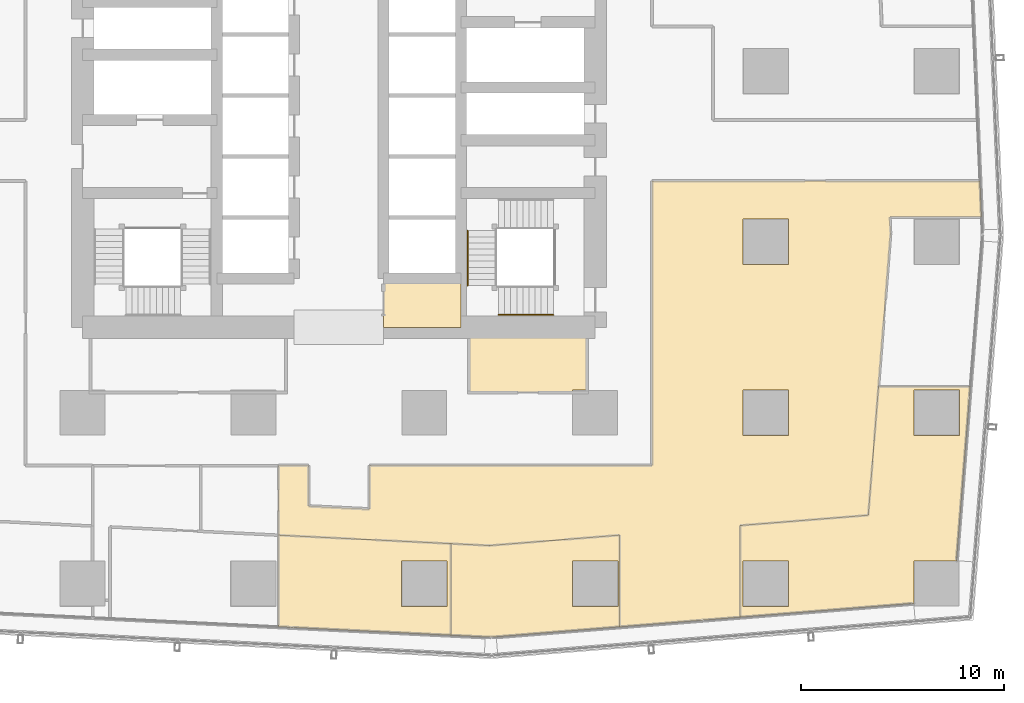
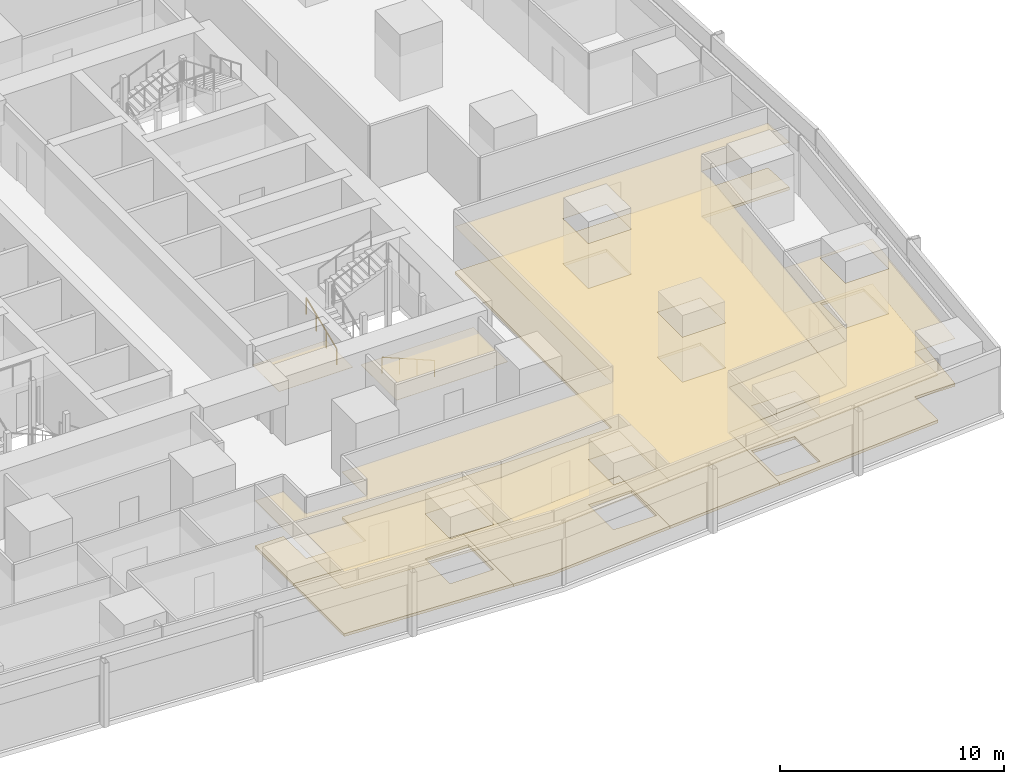
# One storey, part 39 of 45: 10 coverings, 2 railings.
"""IFC4 building model written with IfcOpenShell, lengths in metres."""

from ifc_helpers import new_model, si_unit, direction, frame, origin, origin_2d, place, context, subcontext, project, spatial, polyline, circle, outline, extrude, material, layer, layer_set, type_object, element, save


model = new_model("IFC4")

# Units and contexts
model_context = context("Model", 3, precision=1e-05, world=origin(), true_north=direction((0.0, 1.0)))
body_context = subcontext(model_context, "Body", "Model", "MODEL_VIEW")
ifc_project = project(units=[si_unit("LENGTHUNIT", "METRE"), si_unit("AREAUNIT", "SQUARE_METRE"), si_unit("VOLUMEUNIT", "CUBIC_METRE"), si_unit("PLANEANGLEUNIT", "RADIAN"), si_unit("MASSUNIT", "GRAM", prefix="KILO")], contexts=[model_context])

# Site, building, storey
site_placement = place(None, origin())
site = spatial("IfcSite", under=ifc_project, at=site_placement, CompositionType="ELEMENT")
building_placement = place(site_placement, origin())
building = spatial("IfcBuilding", under=site, at=building_placement, Name="Rekha Terrace Tower", CompositionType="ELEMENT")
storey_placement = place(building_placement, frame((0.0, 0.0, 32.89990234375)))
storey = spatial("IfcBuildingStorey", under=building, at=storey_placement, Name="L07", CompositionType="ELEMENT", Elevation=32.89990234375)

# Coverings
ifc_material_1 = material(Name="Mineral fibre tile in exposed grid", Category="finish")
ifc_layer_1 = layer(ifc_material_1, 0.02001953125)
ifc_layer_set_1 = layer_set([ifc_layer_1], Name="Mineral fibre tile in exposed grid")
covering_type_1 = type_object("IfcCoveringType", Name="CL1 600x1200 office grid ceiling", PredefinedType="CEILING", material=ifc_layer_set_1)
covering_1_placement = place(storey_placement, frame((0.0, 0.0, 2.580078125)))
element("IfcCovering", 1, at=covering_1_placement, inside=storey, type_object=covering_type_1, Name="Ceiling L07-02", PredefinedType="CEILING", context=body_context, shape_type="SweptSolid", body=[
    extrude(outline(polyline([(43.31298828125, 5.85791015625), (43.31298828125, 10.364013671875), (34.841064453125, 10.780029296875), (34.841064453125, 6.27392578125), (43.31298828125, 5.85791015625)]), holes=[polyline([(43.114990234375, 7.284912109375), (40.885009765625, 7.284912109375), (40.885009765625, 9.514892578125), (43.114990234375, 9.514892578125), (43.114990234375, 7.284912109375)])]), origin(), (0.0, 0.0, 1.0), 0.02001953125),
])
covering_2_placement = place(storey_placement, frame((0.0, 0.0, 2.580078125)))
element("IfcCovering", 2, at=covering_2_placement, inside=storey, type_object=covering_type_1, Name="Ceiling L07-03", PredefinedType="CEILING", context=body_context, shape_type="SweptSolid", body=[
    extrude(outline(polyline([(45.201904296875, 10.27099609375), (43.31396484375, 10.364013671875), (43.31396484375, 5.85791015625), (45.27197265625, 5.761962890625), (51.60205078125, 6.26904296875), (51.60205078125, 10.783935546875), (45.201904296875, 10.27099609375)]), holes=[polyline([(51.514892578125, 7.284912109375), (49.284912109375, 7.284912109375), (49.284912109375, 9.514892578125), (51.514892578125, 9.514892578125), (51.514892578125, 7.284912109375)])]), origin(), (0.0, 0.0, 1.0), 0.02001953125),
])
covering_3_placement = place(storey_placement, frame((0.0, 0.0, 2.580078125)))
element("IfcCovering", 3, at=covering_3_placement, inside=storey, type_object=covering_type_1, Name="Ceiling L07-04", PredefinedType="CEILING", context=body_context, shape_type="SweptSolid", body=[
    extrude(outline(polyline([(63.83203125, 11.762939453125), (57.527099609375, 11.258056640625), (57.527099609375, 6.743896484375), (66.0849609375, 7.428955078125), (66.0849609375, 9.514892578125), (68.16796875, 9.514892578125), (68.847900390625, 18.0791015625), (64.333984375, 18.0791015625), (63.83203125, 11.762939453125)]), holes=[polyline([(68.31494140625, 15.68505859375), (66.0849609375, 15.68505859375), (66.0849609375, 17.9150390625), (68.31494140625, 17.9150390625), (68.31494140625, 15.68505859375)]), polyline([(59.9150390625, 7.284912109375), (57.68505859375, 7.284912109375), (57.68505859375, 9.514892578125), (59.9150390625, 9.514892578125), (59.9150390625, 7.284912109375)])]), origin(), (0.0, 0.0, 1.0), 0.02001953125),
])
covering_4_placement = place(storey_placement, frame((0.0, 0.0, 2.580078125)))
element("IfcCovering", 4, at=covering_4_placement, inside=storey, type_object=covering_type_1, Name="Ceiling L07-O1", PredefinedType="CEILING", context=body_context, shape_type="SweptSolid", body=[
    extrude(outline(polyline([(34.840087890625, 14.199951171875), (34.840087890625, 10.780029296875), (43.31396484375, 10.364013671875), (45.201904296875, 10.27099609375), (51.60205078125, 10.783935546875), (51.60205078125, 6.26904296875), (57.527099609375, 6.743896484375), (57.527099609375, 11.258056640625), (63.83203125, 11.762939453125), (64.333984375, 18.080078125), (64.929931640625, 25.60107421875), (64.89501953125, 26.419921875), (69.39892578125, 26.419921875), (69.322998046875, 28.199951171875), (53.199951171875, 28.199951171875), (53.199951171875, 14.199951171875), (39.300048828125, 14.199951171875), (39.300048828125, 12.06201171875), (36.300048828125, 12.2099609375), (36.300048828125, 14.199951171875), (34.840087890625, 14.199951171875)]), holes=[polyline([(59.9150390625, 17.9150390625), (59.9150390625, 15.68505859375), (57.68505859375, 15.68505859375), (57.68505859375, 17.9150390625), (59.9150390625, 17.9150390625)]), polyline([(59.9150390625, 24.0849609375), (57.68505859375, 24.0849609375), (57.68505859375, 26.31494140625), (59.9150390625, 26.31494140625), (59.9150390625, 24.0849609375)])]), origin(), (0.0, 0.0, 1.0), 0.02001953125),
])
ifc_material_2 = material(Name="Fibre cement board", Category="finish")
ifc_layer_2 = layer(ifc_material_2, 0.014892578125)
ifc_layer_set_2 = layer_set([ifc_layer_2], Name="Fibre cement board")
covering_type_2 = type_object("IfcCoveringType", Name="CL2 moisture-resistant board ceiling", PredefinedType="CEILING", material=ifc_layer_set_2)
covering_5_placement = place(storey_placement, frame((0.0, 0.0, 2.585205078125)))
element("IfcCovering", 5, at=covering_5_placement, inside=storey, type_object=covering_type_2, Name="Ceiling L07-WCA", PredefinedType="CEILING", context=body_context, shape_type="SweptSolid", body=[
    extrude(outline(polyline([(43.800048828125, 23.39990234375), (40.0, 23.39990234375), (40.0, 21.0), (43.800048828125, 21.0), (43.800048828125, 23.39990234375)])), origin(), (0.0, 0.0, 1.0), 0.014892578125),
])
covering_6_placement = place(storey_placement, frame((0.0, 0.0, 2.585205078125)))
element("IfcCovering", 6, at=covering_6_placement, inside=storey, type_object=covering_type_2, Name="Ceiling L07-WCM2", PredefinedType="CEILING", context=body_context, shape_type="SweptSolid", body=[
    extrude(outline(polyline([(50.0, 21.0), (44.199951171875, 21.0), (44.199951171875, 17.800048828125), (49.284912109375, 17.800048828125), (49.284912109375, 17.9150390625), (50.0, 17.9150390625), (50.0, 21.0)])), origin(), (0.0, 0.0, 1.0), 0.014892578125),
])

# Railings
ifc_material_3 = material(Name="Stainless steel tube", Category="steel")
railing_type = type_object("IfcRailingType", Name="HR1 900 stair handrail", PredefinedType="HANDRAIL", material=ifc_material_3)
railing_1_placement = place(storey_placement, frame((48.35009765625, 21.610107421875, 0.125)))
element("IfcRailing", 7, at=railing_1_placement, inside=storey, type_object=railing_type, Name="Handrail ST3 L07 flight 1", PredefinedType="HANDRAIL", context=body_context, shape_type="SweptSolid", body=[
    extrude(circle(Radius=0.02392578125, at=origin_2d()), frame((0.0, 0.0, 0.8759765625), z_axis=(-0.923086799901, 0.0, 0.38459167938), x_axis=(0.0, -1.0, 0.0)), (0.0, 0.0, 1.0), 2.92529296875),
    extrude(circle(Radius=0.02099609375, at=origin_2d()), origin(), (0.0, 0.0, 1.0), 0.851806640625),
    extrude(circle(Radius=0.02099609375, at=origin_2d()), frame((-0.900146484375, 0.0, 0.375)), (0.0, 0.0, 1.0), 0.851806640625),
    extrude(circle(Radius=0.02099609375, at=origin_2d()), frame((-1.800048828125, 0.0, 0.75)), (0.0, 0.0, 1.0), 0.851806640625),
    extrude(circle(Radius=0.02099609375, at=origin_2d()), frame((-2.7001953125, 0.0, 1.125)), (0.0, 0.0, 1.0), 0.851806640625),
])
railing_2_placement = place(storey_placement, frame((44.135009765625, 23.050048828125, 1.375)))
element("IfcRailing", 8, at=railing_2_placement, inside=storey, type_object=railing_type, Name="Handrail ST3 L07 flight 2", PredefinedType="HANDRAIL", context=body_context, shape_type="SweptSolid", body=[
    extrude(circle(Radius=0.02392578125, at=origin_2d()), frame((0.0, 0.0, 0.8759765625), z_axis=(0.0, 0.923074453586, 0.384621311341), x_axis=(-1.0, 0.0, 0.0)), (0.0, 0.0, 1.0), 2.925048828125),
    extrude(circle(Radius=0.02099609375, at=origin_2d()), origin(), (0.0, 0.0, 1.0), 0.851806640625),
    extrude(circle(Radius=0.02099609375, at=origin_2d()), frame((0.0, 0.89990234375, 0.375)), (0.0, 0.0, 1.0), 0.851806640625),
    extrude(circle(Radius=0.02099609375, at=origin_2d()), frame((0.0, 1.800048828125, 0.75)), (0.0, 0.0, 1.0), 0.851806640625),
    extrude(circle(Radius=0.02099609375, at=origin_2d()), frame((0.0, 2.699951171875, 1.125)), (0.0, 0.0, 1.0), 0.851806640625),
])

# Coverings
ifc_material_4 = material(Name="Calcium sulphate panels on steel pedestals", Category="steel")
ifc_layer_3 = layer(ifc_material_4, 0.14990234375)
ifc_layer_set_3 = layer_set([ifc_layer_3], Name="Calcium sulphate panels on steel pedestals")
covering_type_3 = type_object("IfcCoveringType", Name="RF1 150 raised access floor", PredefinedType="FLOORING", material=ifc_layer_set_3)
covering_7_placement = place(storey_placement, origin())
element("IfcCovering", 9, at=covering_7_placement, inside=storey, type_object=covering_type_3, Name="Raised floor L07-02", PredefinedType="FLOORING", context=body_context, shape_type="SweptSolid", body=[
    extrude(outline(polyline([(43.31298828125, 5.85791015625), (43.31298828125, 10.364013671875), (34.841064453125, 10.780029296875), (34.841064453125, 6.27392578125), (43.31298828125, 5.85791015625)]), holes=[polyline([(43.114990234375, 7.284912109375), (40.885009765625, 7.284912109375), (40.885009765625, 9.514892578125), (43.114990234375, 9.514892578125), (43.114990234375, 7.284912109375)])]), origin(), (0.0, 0.0, 1.0), 0.150146484375),
])
covering_8_placement = place(storey_placement, origin())
element("IfcCovering", 10, at=covering_8_placement, inside=storey, type_object=covering_type_3, Name="Raised floor L07-03", PredefinedType="FLOORING", context=body_context, shape_type="SweptSolid", body=[
    extrude(outline(polyline([(45.201904296875, 10.27099609375), (43.31396484375, 10.364013671875), (43.31396484375, 5.85791015625), (45.27197265625, 5.761962890625), (51.60205078125, 6.26904296875), (51.60205078125, 10.783935546875), (45.201904296875, 10.27099609375)]), holes=[polyline([(51.514892578125, 7.284912109375), (49.284912109375, 7.284912109375), (49.284912109375, 9.514892578125), (51.514892578125, 9.514892578125), (51.514892578125, 7.284912109375)])]), origin(), (0.0, 0.0, 1.0), 0.150146484375),
])
covering_9_placement = place(storey_placement, origin())
element("IfcCovering", 11, at=covering_9_placement, inside=storey, type_object=covering_type_3, Name="Raised floor L07-04", PredefinedType="FLOORING", context=body_context, shape_type="SweptSolid", body=[
    extrude(outline(polyline([(63.83203125, 11.762939453125), (57.527099609375, 11.258056640625), (57.527099609375, 6.743896484375), (66.0849609375, 7.428955078125), (66.0849609375, 9.514892578125), (68.16796875, 9.514892578125), (68.847900390625, 18.0791015625), (64.333984375, 18.0791015625), (63.83203125, 11.762939453125)]), holes=[polyline([(68.31494140625, 15.68505859375), (66.0849609375, 15.68505859375), (66.0849609375, 17.9150390625), (68.31494140625, 17.9150390625), (68.31494140625, 15.68505859375)]), polyline([(59.9150390625, 7.284912109375), (57.68505859375, 7.284912109375), (57.68505859375, 9.514892578125), (59.9150390625, 9.514892578125), (59.9150390625, 7.284912109375)])]), origin(), (0.0, 0.0, 1.0), 0.150146484375),
])
covering_10_placement = place(storey_placement, origin())
element("IfcCovering", 12, at=covering_10_placement, inside=storey, type_object=covering_type_3, Name="Raised floor L07-O1", PredefinedType="FLOORING", context=body_context, shape_type="SweptSolid", body=[
    extrude(outline(polyline([(34.840087890625, 14.199951171875), (34.840087890625, 10.780029296875), (43.31396484375, 10.364013671875), (45.201904296875, 10.27099609375), (51.60205078125, 10.783935546875), (51.60205078125, 6.26904296875), (57.527099609375, 6.743896484375), (57.527099609375, 11.258056640625), (63.83203125, 11.762939453125), (64.333984375, 18.080078125), (64.929931640625, 25.60107421875), (64.89501953125, 26.419921875), (69.39892578125, 26.419921875), (69.322998046875, 28.199951171875), (53.199951171875, 28.199951171875), (53.199951171875, 14.199951171875), (39.300048828125, 14.199951171875), (39.300048828125, 12.06201171875), (36.300048828125, 12.2099609375), (36.300048828125, 14.199951171875), (34.840087890625, 14.199951171875)]), holes=[polyline([(59.9150390625, 17.9150390625), (59.9150390625, 15.68505859375), (57.68505859375, 15.68505859375), (57.68505859375, 17.9150390625), (59.9150390625, 17.9150390625)]), polyline([(59.9150390625, 24.0849609375), (57.68505859375, 24.0849609375), (57.68505859375, 26.31494140625), (59.9150390625, 26.31494140625), (59.9150390625, 24.0849609375)])]), origin(), (0.0, 0.0, 1.0), 0.150146484375),
])

save(model, "model.ifc")
